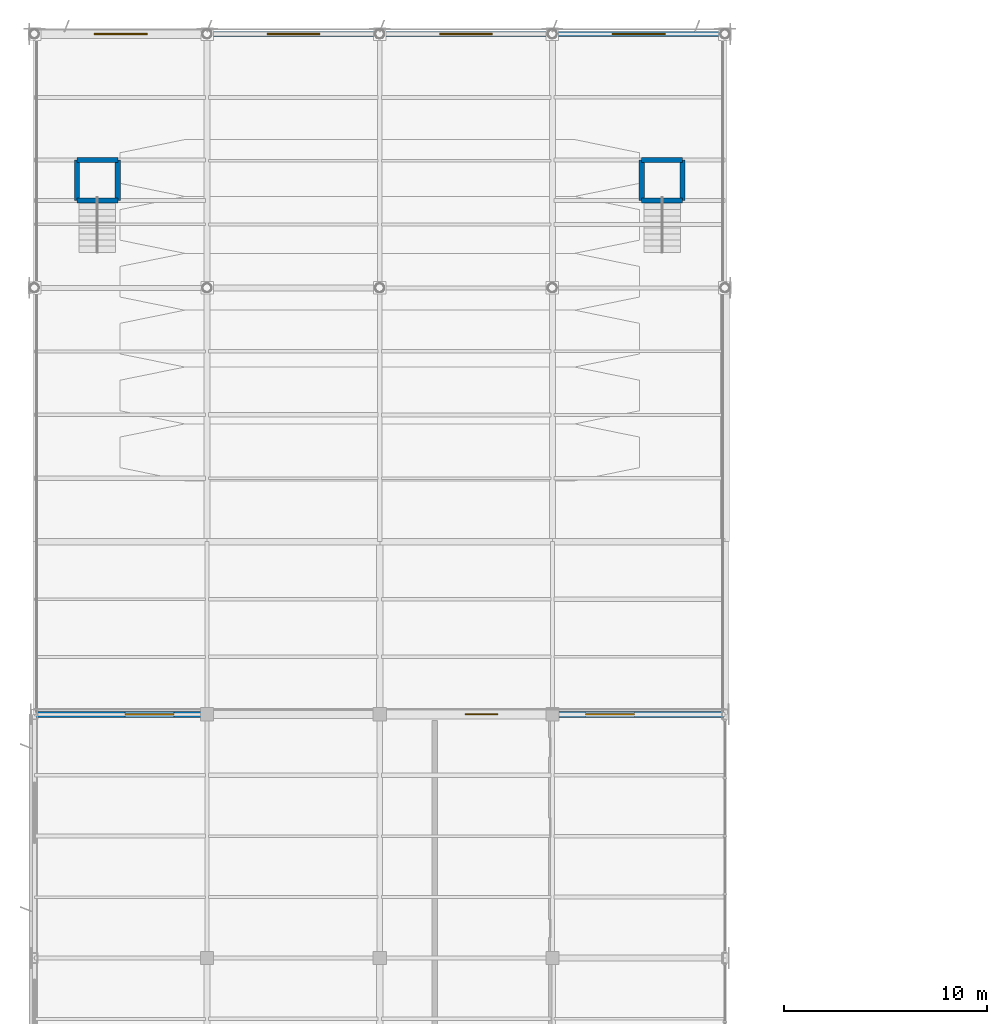
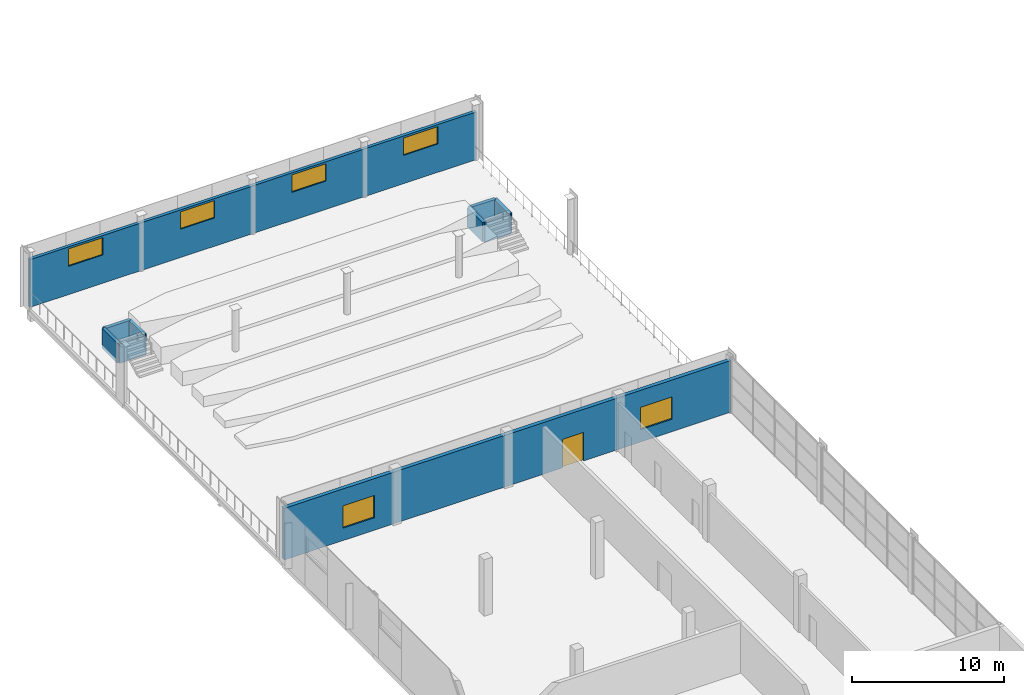
# One storey, part 71 of 86: 10 walls, 6 windows, 1 door, 7 openings.
"""IFC4 building model written with IfcOpenShell, lengths in metres."""

from ifc_helpers import new_model, si_unit, direction, frame, frame_2d, origin, place, context, subcontext, project, spatial, rectangle, extrude, material, layer, layer_set, type_object, element, fill, save


model = new_model("IFC4")

# Units and contexts
model_context = context("Model", 3, precision=1e-05, world=origin(), true_north=direction((0.0, 1.0)))
body_context = subcontext(model_context, "Body", "Model", "MODEL_VIEW")
ifc_project = project(units=[si_unit("LENGTHUNIT", "METRE"), si_unit("AREAUNIT", "SQUARE_METRE"), si_unit("VOLUMEUNIT", "CUBIC_METRE"), si_unit("PLANEANGLEUNIT", "RADIAN"), si_unit("MASSUNIT", "GRAM", prefix="KILO")], contexts=[model_context])

# Site, building, storey
site_placement = place(None, origin())
site = spatial("IfcSite", under=ifc_project, at=site_placement, CompositionType="ELEMENT")
building_placement = place(site_placement, origin())
building = spatial("IfcBuilding", under=site, at=building_placement, Name="Solvikara Media Centre", CompositionType="ELEMENT")
storey_placement = place(building_placement, frame((0.0, 0.0, 15.0)))
storey = spatial("IfcBuildingStorey", under=building, at=storey_placement, Name="L03", CompositionType="ELEMENT", Elevation=15.0)

# Walls
ifc_material_1 = material(Name="Concrete fc' 45 MPa (C45/55)", Category="concrete")
ifc_layer_1 = layer(ifc_material_1, 0.25)
ifc_layer_set_1 = layer_set([ifc_layer_1], Name="Concrete fc' 45 MPa (C45/55)")
wall_type_1 = type_object("IfcWallType", Name="WT-07", PredefinedType="STANDARD", material=ifc_layer_set_1)
for number, where, z_axis, x_axis, name in (
    (1, (2.10009765625, 105.800048828125, -0.27001953125), (0.0, 0.0, 1.0), (1.0, 0.0, 0.0), "VW-ST-AMPH-W-1"),
    (2, (2.10009765625, 107.800048828125, -0.27001953125), (0.0, 0.0, 1.0), (1.0, 0.0, 0.0), "VW-ST-AMPH-W-2"),
    (3, (4.10009765625, 105.800048828125, -0.27001953125), (0.0, 0.0, 1.0), (0.0, 1.0, 0.0), "VW-ST-AMPH-W-3"),
    (4, (2.10009765625, 105.800048828125, -0.27001953125), (0.0, 0.0, 1.0), (0.0, 1.0, 0.0), "VW-ST-AMPH-W-4"),
    (5, (29.89990234375, 105.800048828125, -0.27001953125), (0.0, 0.0, 1.0), (1.0, 0.0, 0.0), "VW-ST-AMPH-E-1"),
    (6, (29.89990234375, 107.800048828125, -0.27001953125), (0.0, 0.0, 1.0), (1.0, 0.0, 0.0), "VW-ST-AMPH-E-2"),
    (7, (31.89990234375, 105.800048828125, -0.27001953125), (0.0, 0.0, 1.0), (0.0, 1.0, 0.0), "VW-ST-AMPH-E-3"),
    (8, (29.89990234375, 105.800048828125, -0.27001953125), (0.0, 0.0, 1.0), (0.0, 1.0, 0.0), "VW-ST-AMPH-E-4"),
):
    element("IfcWall", number, at=place(storey_placement, frame(where, z_axis=z_axis, x_axis=x_axis)), inside=storey, type_object=wall_type_1, Name=name, PredefinedType="STANDARD", context=body_context, shape_type="SweptSolid", body=[
        extrude(rectangle(XDim=2.0, YDim=0.25, at=frame_2d((1.0, 0.0))), origin(), (0.0, 0.0, 1.0), 1.580078125),
    ])

# Wall, openings, door, windows
ifc_material_2 = material(Name="Precast concrete fc' 40 MPa (C40/50)", Category="concrete")
ifc_layer_2 = layer(ifc_material_2, 0.2900390625)
ifc_layer_set_2 = layer_set([ifc_layer_2], Name="Precast concrete fc' 40 MPa (C40/50)")
wall_type_2 = type_object("IfcWallType", Name="WT-11", PredefinedType="STANDARD", material=ifc_layer_set_2)
wall_1_placement = place(storey_placement, frame((0.0, 80.5, 0.0), z_axis=(0.0, 0.0, 1.0), x_axis=(1.0, 0.0, 0.0)))
wall_1 = element("IfcWall", 9, at=wall_1_placement, inside=storey, type_object=wall_type_2, Name="EW-L03-V4-N", PredefinedType="STANDARD", context=body_context, shape_type="SweptSolid", body=[
    extrude(rectangle(XDim=34.0, YDim=0.2900390625, at=frame_2d((17.0, 0.0))), origin(), (0.0, 0.0, 1.0), 4.157958984375),
])
opening_1_placement = place(wall_1_placement, frame((21.199951171875, 0.0, 0.0)))
opening_1 = element("IfcOpeningElement", 10, at=opening_1_placement, cuts=wall_1, Name="Opening TD-L03-AMPH", PredefinedType="OPENING", context=body_context, shape_type="SweptSolid", body=[
    extrude(rectangle(XDim=1.60009765625, YDim=2.300048828125, at=frame_2d((0.800048828125, 1.14990234375))), frame((0.0, 0.156982421875, 0.0), z_axis=(0.0, -1.0, 0.0), x_axis=(1.0, 0.0, 0.0)), (0.0, 0.0, 1.0), 0.31396484375),
])
opening_2_placement = place(wall_1_placement, frame((4.467041015625, 0.0, 1.0)))
opening_2 = element("IfcOpeningElement", 11, at=opening_2_placement, cuts=wall_1, Name="Opening W-L03-V4N-W01", PredefinedType="OPENING", context=body_context, shape_type="SweptSolid", body=[
    extrude(rectangle(XDim=2.39990234375, YDim=1.800048828125, at=frame_2d((1.199951171875, 0.89990234375))), frame((0.0, 0.156982421875, 0.0), z_axis=(0.0, -1.0, 0.0), x_axis=(1.0, 0.0, 0.0)), (0.0, 0.0, 1.0), 0.31396484375),
])
opening_3_placement = place(wall_1_placement, frame((27.133056640625, 0.0, 1.0)))
opening_3 = element("IfcOpeningElement", 12, at=opening_3_placement, cuts=wall_1, Name="Opening W-L03-V4N-W03", PredefinedType="OPENING", context=body_context, shape_type="SweptSolid", body=[
    extrude(rectangle(XDim=2.39990234375, YDim=1.800048828125, at=frame_2d((1.199951171875, 0.89990234375))), frame((0.0, 0.156982421875, 0.0), z_axis=(0.0, -1.0, 0.0), x_axis=(1.0, 0.0, 0.0)), (0.0, 0.0, 1.0), 0.31396484375),
])
ifc_material_3 = material(Name="Anodised aluminium EN AW-6063", Category="aluminium")
door_type = type_object("IfcDoorType", Name="DT-04", OperationType="DOUBLE_DOOR_SINGLE_SWING", PredefinedType="DOOR", material=ifc_material_3)
door_placement = place(opening_1_placement, origin())
door = element("IfcDoor", 13, at=door_placement, inside=storey, type_object=door_type, Name="TD-L03-AMPH", OperationType="DOUBLE_DOOR_SINGLE_SWING", OverallHeight=2.300048828125, OverallWidth=1.60009765625, PredefinedType="DOOR", context=body_context, shape_type="SweptSolid", body=[
    extrude(rectangle(XDim=1.60009765625, YDim=2.300048828125, at=frame_2d((0.800048828125, 1.14990234375))), frame((0.0, 0.02490234375, 0.0), z_axis=(0.0, -1.0, 0.0), x_axis=(1.0, 0.0, 0.0)), (0.0, 0.0, 1.0), 0.050048828125),
])
fill(opening_1, door)
ifc_material_4 = material(Name="Double-glazed low-E architectural glass", Category="glass")
window_type_1 = type_object("IfcWindowType", Name="WN-05", PartitioningType="SINGLE_PANEL", PredefinedType="WINDOW", material=ifc_material_4)
window_1_placement = place(opening_2_placement, origin())
window_1 = element("IfcWindow", 14, at=window_1_placement, inside=storey, type_object=window_type_1, Name="W-L03-V4N-W01", OverallHeight=1.800048828125, OverallWidth=2.39990234375, PartitioningType="SINGLE_PANEL", PredefinedType="WINDOW", context=body_context, shape_type="SweptSolid", body=[
    extrude(rectangle(XDim=2.39990234375, YDim=1.800048828125, at=frame_2d((1.199951171875, 0.89990234375))), frame((0.0, 0.030029296875, 0.0), z_axis=(0.0, -1.0, 0.0), x_axis=(1.0, 0.0, 0.0)), (0.0, 0.0, 1.0), 0.06005859375),
])
fill(opening_2, window_1)
window_2_placement = place(opening_3_placement, origin())
window_2 = element("IfcWindow", 15, at=window_2_placement, inside=storey, type_object=window_type_1, Name="W-L03-V4N-W03", OverallHeight=1.800048828125, OverallWidth=2.39990234375, PartitioningType="SINGLE_PANEL", PredefinedType="WINDOW", context=body_context, shape_type="SweptSolid", body=[
    extrude(rectangle(XDim=2.39990234375, YDim=1.800048828125, at=frame_2d((1.199951171875, 0.89990234375))), frame((0.0, 0.030029296875, 0.0), z_axis=(0.0, -1.0, 0.0), x_axis=(1.0, 0.0, 0.0)), (0.0, 0.0, 1.0), 0.06005859375),
])
fill(opening_3, window_2)

# Wall, openings, windows
ifc_layer_3 = layer(ifc_material_2, 0.239990234375)
ifc_layer_set_3 = layer_set([ifc_layer_3], Name="Precast concrete fc' 40 MPa (C40/50)")
wall_type_3 = type_object("IfcWallType", Name="WT-13", PredefinedType="STANDARD", material=ifc_layer_set_3)
wall_2_placement = place(storey_placement, frame((0.0, 114.0, 0.0), z_axis=(0.0, 0.0, 1.0), x_axis=(1.0, 0.0, 0.0)))
wall_2 = element("IfcWall", 16, at=wall_2_placement, inside=storey, type_object=wall_type_3, Name="EW-L03-V3-STGN", PredefinedType="STANDARD", context=body_context, shape_type="SweptSolid", body=[
    extrude(rectangle(XDim=34.0, YDim=0.239990234375, at=frame_2d((17.0, 0.0))), origin(), (0.0, 0.0, 1.0), 3.840087890625),
])
opening_4_placement = place(wall_2_placement, frame((2.949951171875, 0.0, 2.280029296875)))
opening_4 = element("IfcOpeningElement", 17, at=opening_4_placement, cuts=wall_2, Name="Opening W-L03-V3STGN-W01", PredefinedType="OPENING", context=body_context, shape_type="SweptSolid", body=[
    extrude(rectangle(XDim=2.60009765625, YDim=1.39990234375, at=frame_2d((1.300048828125, 0.699951171875))), frame((0.0, 0.1318359375, 0.0), z_axis=(0.0, -1.0, 0.0), x_axis=(1.0, 0.0, 0.0)), (0.0, 0.0, 1.0), 0.263916015625),
])
opening_5_placement = place(wall_2_placement, frame((11.449951171875, 0.0, 2.280029296875)))
opening_5 = element("IfcOpeningElement", 18, at=opening_5_placement, cuts=wall_2, Name="Opening W-L03-V3STGN-W02", PredefinedType="OPENING", context=body_context, shape_type="SweptSolid", body=[
    extrude(rectangle(XDim=2.60009765625, YDim=1.39990234375, at=frame_2d((1.300048828125, 0.699951171875))), frame((0.0, 0.1318359375, 0.0), z_axis=(0.0, -1.0, 0.0), x_axis=(1.0, 0.0, 0.0)), (0.0, 0.0, 1.0), 0.263916015625),
])
opening_6_placement = place(wall_2_placement, frame((19.949951171875, 0.0, 2.280029296875)))
opening_6 = element("IfcOpeningElement", 19, at=opening_6_placement, cuts=wall_2, Name="Opening W-L03-V3STGN-W03", PredefinedType="OPENING", context=body_context, shape_type="SweptSolid", body=[
    extrude(rectangle(XDim=2.60009765625, YDim=1.39990234375, at=frame_2d((1.300048828125, 0.699951171875))), frame((0.0, 0.1318359375, 0.0), z_axis=(0.0, -1.0, 0.0), x_axis=(1.0, 0.0, 0.0)), (0.0, 0.0, 1.0), 0.263916015625),
])
opening_7_placement = place(wall_2_placement, frame((28.449951171875, 0.0, 2.280029296875)))
opening_7 = element("IfcOpeningElement", 20, at=opening_7_placement, cuts=wall_2, Name="Opening W-L03-V3STGN-W04", PredefinedType="OPENING", context=body_context, shape_type="SweptSolid", body=[
    extrude(rectangle(XDim=2.60009765625, YDim=1.39990234375, at=frame_2d((1.300048828125, 0.699951171875))), frame((0.0, 0.1318359375, 0.0), z_axis=(0.0, -1.0, 0.0), x_axis=(1.0, 0.0, 0.0)), (0.0, 0.0, 1.0), 0.263916015625),
])
window_type_2 = type_object("IfcWindowType", Name="WN-09", PartitioningType="SINGLE_PANEL", PredefinedType="WINDOW", material=ifc_material_4)
window_3_placement = place(opening_4_placement, origin())
window_3 = element("IfcWindow", 21, at=window_3_placement, inside=storey, type_object=window_type_2, Name="W-L03-V3STGN-W01", OverallHeight=1.39990234375, OverallWidth=2.60009765625, PartitioningType="SINGLE_PANEL", PredefinedType="WINDOW", context=body_context, shape_type="SweptSolid", body=[
    extrude(rectangle(XDim=2.60009765625, YDim=1.39990234375, at=frame_2d((1.300048828125, 0.699951171875))), frame((0.0, 0.030029296875, 0.0), z_axis=(0.0, -1.0, 0.0), x_axis=(1.0, 0.0, 0.0)), (0.0, 0.0, 1.0), 0.06005859375),
])
fill(opening_4, window_3)
window_4_placement = place(opening_5_placement, origin())
window_4 = element("IfcWindow", 22, at=window_4_placement, inside=storey, type_object=window_type_2, Name="W-L03-V3STGN-W02", OverallHeight=1.39990234375, OverallWidth=2.60009765625, PartitioningType="SINGLE_PANEL", PredefinedType="WINDOW", context=body_context, shape_type="SweptSolid", body=[
    extrude(rectangle(XDim=2.60009765625, YDim=1.39990234375, at=frame_2d((1.300048828125, 0.699951171875))), frame((0.0, 0.030029296875, 0.0), z_axis=(0.0, -1.0, 0.0), x_axis=(1.0, 0.0, 0.0)), (0.0, 0.0, 1.0), 0.06005859375),
])
fill(opening_5, window_4)
window_5_placement = place(opening_6_placement, origin())
window_5 = element("IfcWindow", 23, at=window_5_placement, inside=storey, type_object=window_type_2, Name="W-L03-V3STGN-W03", OverallHeight=1.39990234375, OverallWidth=2.60009765625, PartitioningType="SINGLE_PANEL", PredefinedType="WINDOW", context=body_context, shape_type="SweptSolid", body=[
    extrude(rectangle(XDim=2.60009765625, YDim=1.39990234375, at=frame_2d((1.300048828125, 0.699951171875))), frame((0.0, 0.030029296875, 0.0), z_axis=(0.0, -1.0, 0.0), x_axis=(1.0, 0.0, 0.0)), (0.0, 0.0, 1.0), 0.06005859375),
])
fill(opening_6, window_5)
window_6_placement = place(opening_7_placement, origin())
window_6 = element("IfcWindow", 24, at=window_6_placement, inside=storey, type_object=window_type_2, Name="W-L03-V3STGN-W04", OverallHeight=1.39990234375, OverallWidth=2.60009765625, PartitioningType="SINGLE_PANEL", PredefinedType="WINDOW", context=body_context, shape_type="SweptSolid", body=[
    extrude(rectangle(XDim=2.60009765625, YDim=1.39990234375, at=frame_2d((1.300048828125, 0.699951171875))), frame((0.0, 0.030029296875, 0.0), z_axis=(0.0, -1.0, 0.0), x_axis=(1.0, 0.0, 0.0)), (0.0, 0.0, 1.0), 0.06005859375),
])
fill(opening_7, window_6)

save(model, "model.ifc")
